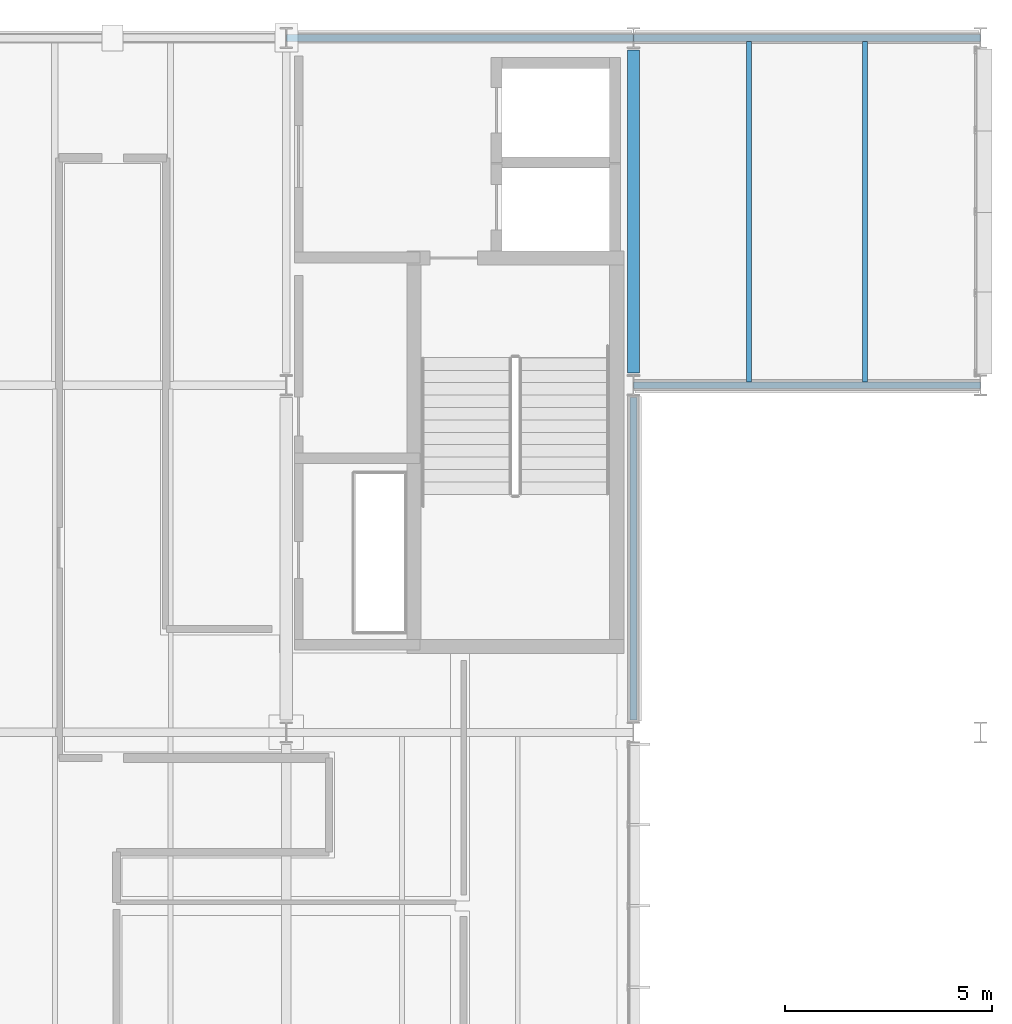
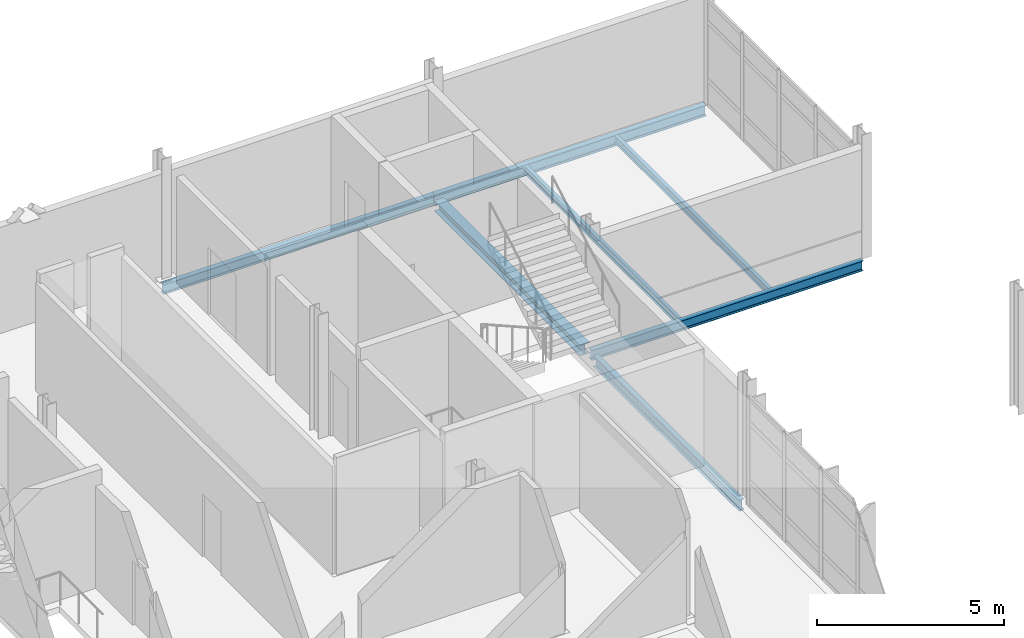
# One storey, part 106 of 151: 7 beams.
"""IFC4 building model written with IfcOpenShell, lengths in metres."""

from ifc_helpers import new_model, si_unit, direction, frame, origin, origin_2d, place, context, subcontext, project, spatial, i_section, extrude, material, material_profile, profile_set, type_object, element, save


model = new_model("IFC4")

# Units and contexts
model_context = context("Model", 3, precision=1e-05, world=origin(), true_north=direction((0.0, 1.0)))
body_context = subcontext(model_context, "Body", "Model", "MODEL_VIEW")
ifc_project = project(units=[si_unit("LENGTHUNIT", "METRE"), si_unit("AREAUNIT", "SQUARE_METRE"), si_unit("VOLUMEUNIT", "CUBIC_METRE"), si_unit("PLANEANGLEUNIT", "RADIAN"), si_unit("MASSUNIT", "GRAM", prefix="KILO")], contexts=[model_context])

# Site, building, storey
site_placement = place(None, origin())
site = spatial("IfcSite", under=ifc_project, at=site_placement, CompositionType="ELEMENT")
building_placement = place(site_placement, origin())
building = spatial("IfcBuilding", under=site, at=building_placement, Name="Mersafa Astral City Hall", CompositionType="ELEMENT")
storey_placement = place(building_placement, frame((0.0, 0.0, 9.89990234375)))
storey = spatial("IfcBuildingStorey", under=building, at=storey_placement, Name="L02", CompositionType="ELEMENT", Elevation=9.89990234375)

# Beams
ifc_material = material(Name="Steel S355", Category="steel")
ifc_material_profile_1 = material_profile(ifc_material, i_section(OverallWidth=0.300048828125, OverallDepth=0.35009765625, WebThickness=0.010009765625, FlangeThickness=0.017578125, FilletRadius=0.027099609375, at=origin_2d()), Name="HEA 360")
ifc_profile_set_1 = profile_set([ifc_material_profile_1], Name="Steel S355")
beam_type_1 = type_object("IfcBeamType", Name="STR-BM-HEA360", PredefinedType="BEAM", material=ifc_profile_set_1)
beam_1_placement = place(storey_placement, frame((176.39990234375, 117.89501953125, -0.375), z_axis=(0.0, 1.0, 0.0), x_axis=(-1.0, 0.0, 0.0)))
element("IfcBeam", 1, at=beam_1_placement, inside=storey, type_object=beam_type_1, Name="L02 Primary girder Y 21-14", PredefinedType="BEAM", context=body_context, shape_type="SweptSolid", body=[
    extrude(i_section(OverallWidth=0.300048828125, OverallDepth=0.35009765625, WebThickness=0.010009765625, FlangeThickness=0.017578125, FilletRadius=0.027099609375, at=origin_2d()), origin(), (0.0, 0.0, 1.0), 7.81005859375),
])
ifc_material_profile_2 = material_profile(ifc_material, i_section(OverallWidth=0.1201171875, OverallDepth=0.239990234375, WebThickness=0.006103515625, FlangeThickness=0.009765625, FilletRadius=0.014892578125, at=origin_2d()), Name="IPE 240")
ifc_profile_set_2 = profile_set([ifc_material_profile_2], Name="Steel S355")
beam_type_2 = type_object("IfcBeamType", Name="STR-BM-JOIST-IPE240", PredefinedType="JOIST", material=ifc_profile_set_2)
for number, where, z_axis, x_axis, name in (
    (2, (179.199951171875, 117.675048828125, -0.31982421875), (0.0, 1.0, 0.0), (-1.0, 0.0, 0.0), "L02 Composite secondary floor joist 551"),
    (3, (182.0, 117.675048828125, -0.31982421875), (0.0, 1.0, 0.0), (-1.0, 0.0, 0.0), "L02 Composite secondary floor joist 552"),
):
    element("IfcBeam", number, at=place(storey_placement, frame(where, z_axis=z_axis, x_axis=x_axis)), inside=storey, type_object=beam_type_2, Name=name, PredefinedType="JOIST", context=body_context, shape_type="SweptSolid", body=[
        extrude(i_section(OverallWidth=0.1201171875, OverallDepth=0.239990234375, WebThickness=0.006103515625, FlangeThickness=0.009765625, FilletRadius=0.014892578125, at=origin_2d()), origin(), (0.0, 0.0, 1.0), 8.244873046875),
    ])
ifc_material_profile_3 = material_profile(ifc_material, i_section(OverallWidth=0.159912109375, OverallDepth=0.330078125, WebThickness=0.007568359375, FlangeThickness=0.011474609375, FilletRadius=0.01806640625, at=origin_2d()), Name="IPE 330")
ifc_profile_set_3 = profile_set([ifc_material_profile_3], Name="Steel S355")
beam_type_3 = type_object("IfcBeamType", Name="STR-BM-SPANDREL-IPE330", PredefinedType="SPANDREL", material=ifc_profile_set_3)
for number, where, z_axis, x_axis, name in (
    (4, (176.403076171875, 117.60009765625, -0.364990234375), (1.0, 0.0, 0.0), (0.0, 1.0, 0.0), "L02 Primary girder X 21-14"),
    (5, (168.0029296875, 126.0, -0.364990234375), (1.0, 0.0, 0.0), (0.0, 1.0, 0.0), "L02 Primary girder X 20-15"),
):
    element("IfcBeam", number, at=place(storey_placement, frame(where, z_axis=z_axis, x_axis=x_axis)), inside=storey, type_object=beam_type_3, Name=name, PredefinedType="SPANDREL", context=body_context, shape_type="SweptSolid", body=[
        extrude(i_section(OverallWidth=0.159912109375, OverallDepth=0.330078125, WebThickness=0.007568359375, FlangeThickness=0.011474609375, FilletRadius=0.01806640625, at=origin_2d()), origin(), (0.0, 0.0, 1.0), 8.39404296875),
    ])
ifc_material_profile_4 = material_profile(ifc_material, i_section(OverallWidth=0.169921875, OverallDepth=0.360107421875, WebThickness=0.008056640625, FlangeThickness=0.0126953125, FilletRadius=0.01806640625, at=origin_2d()), Name="IPE 360")
ifc_profile_set_4 = profile_set([ifc_material_profile_4], Name="Steel S355")
beam_type_4 = type_object("IfcBeamType", Name="STR-BM-SPANDREL-IPE360", PredefinedType="SPANDREL", material=ifc_profile_set_4)
beam_2_placement = place(storey_placement, frame((176.403076171875, 126.0, -0.3798828125), z_axis=(1.0, 0.0, 0.0), x_axis=(0.0, 1.0, 0.0)))
element("IfcBeam", 6, at=beam_2_placement, inside=storey, type_object=beam_type_4, Name="L02 Primary girder X 21-15", PredefinedType="SPANDREL", context=body_context, shape_type="SweptSolid", body=[
    extrude(i_section(OverallWidth=0.169921875, OverallDepth=0.360107421875, WebThickness=0.008056640625, FlangeThickness=0.0126953125, FilletRadius=0.01806640625, at=origin_2d()), origin(), (0.0, 0.0, 1.0), 8.39404296875),
])
beam_3_placement = place(storey_placement, frame((176.39990234375, 109.4951171875, -0.3798828125), z_axis=(0.0, 1.0, 0.0), x_axis=(-1.0, 0.0, 0.0)))
element("IfcBeam", 7, at=beam_3_placement, inside=storey, type_object=beam_type_4, Name="L02 Primary girder Y 21-13", PredefinedType="SPANDREL", context=body_context, shape_type="SweptSolid", body=[
    extrude(i_section(OverallWidth=0.169921875, OverallDepth=0.360107421875, WebThickness=0.008056640625, FlangeThickness=0.0126953125, FilletRadius=0.01806640625, at=origin_2d()), origin(), (0.0, 0.0, 1.0), 7.809814453125),
])

save(model, "model.ifc")
